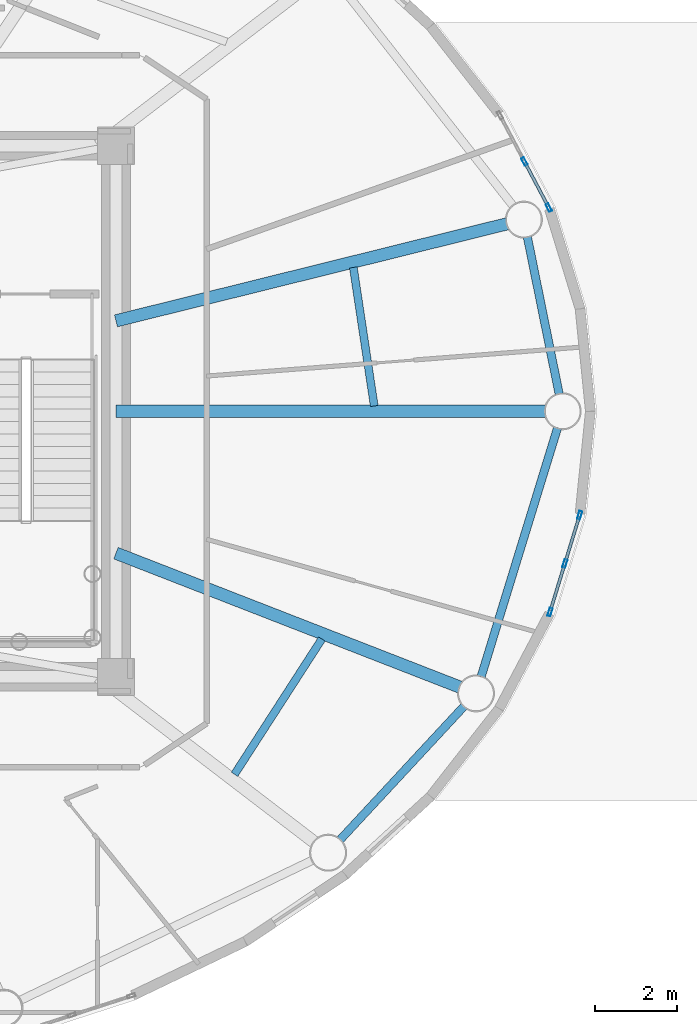
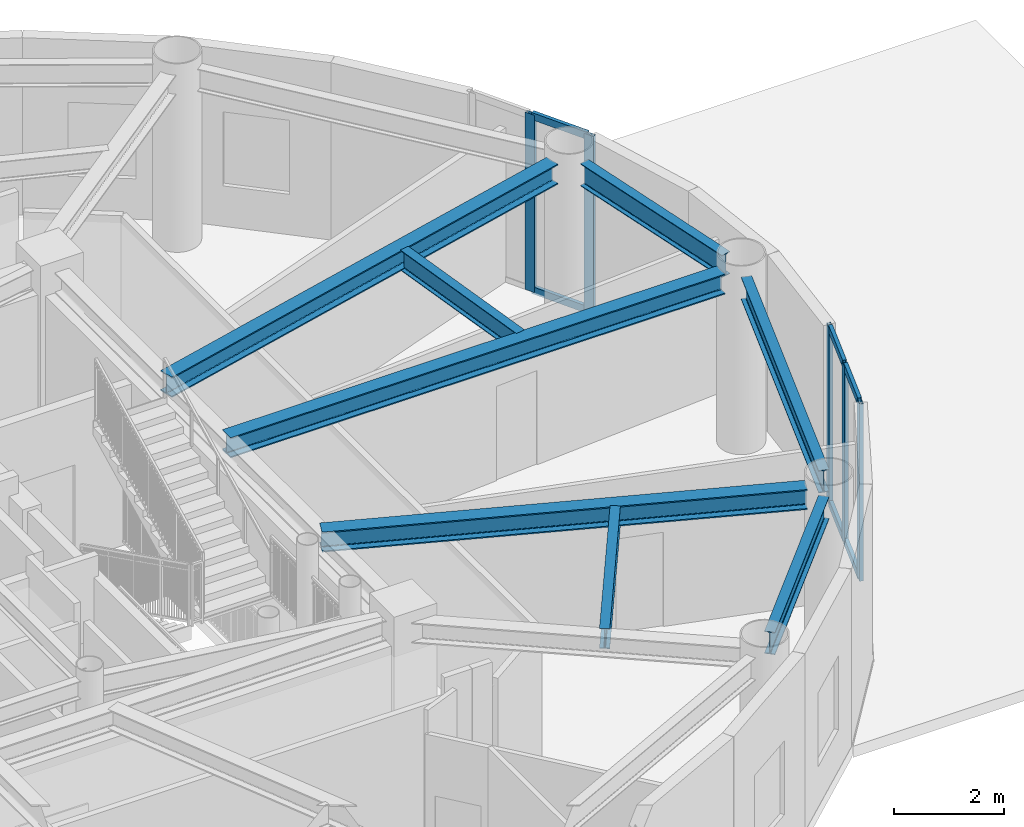
# One storey, part 11 of 24: 11 members, 8 beams, 2 elements without a shape of their own.
"""IFC4 building model written with IfcOpenShell, lengths in metres."""

from ifc_helpers import new_model, si_unit, direction, frame, origin, origin_2d, place, context, subcontext, project, spatial, hollow_rectangle, i_section, extrude, source, transform, mapped, material, layer, layer_set, material_profile, profile_set, type_object, element, aggregate, save


model = new_model("IFC4")

# Units and contexts
model_context = context("Model", 3, precision=1e-05, world=origin(), true_north=direction((0.0, 1.0)))
body_context = subcontext(model_context, "Body", "Model", "MODEL_VIEW")
ifc_project = project(units=[si_unit("LENGTHUNIT", "METRE"), si_unit("AREAUNIT", "SQUARE_METRE"), si_unit("VOLUMEUNIT", "CUBIC_METRE"), si_unit("PLANEANGLEUNIT", "RADIAN"), si_unit("MASSUNIT", "GRAM", prefix="KILO")], contexts=[model_context])

# Site, building, storey
site_placement = place(None, origin())
site = spatial("IfcSite", under=ifc_project, at=site_placement, CompositionType="ELEMENT")
building_placement = place(site_placement, origin())
building = spatial("IfcBuilding", under=site, at=building_placement, Name="Linh Dai School and Residence Tower", CompositionType="ELEMENT")
storey_placement = place(building_placement, frame((0.0, 0.0, 355.199951171875)))
storey = spatial("IfcBuildingStorey", under=building, at=storey_placement, Name="L88", CompositionType="ELEMENT", Elevation=355.199951171875)

# Beams
ifc_material_1 = material(Name="Structural Steel S355JR", Category="steel")
ifc_material_profile_1 = material_profile(ifc_material_1, i_section(OverallWidth=0.199951171875, OverallDepth=0.5, WebThickness=0.01025390625, FlangeThickness=0.01611328125, FilletRadius=0.02099609375, at=origin_2d()), Name="IPE 500")
ifc_profile_set_1 = profile_set([ifc_material_profile_1], Name="Structural Steel S355JR")
beam_type_1 = type_object("IfcBeamType", Name="BM-RB50", PredefinedType="BEAM", material=ifc_profile_set_1)
beam_1_placement = place(storey_placement, frame((55.61669921875, 27.41162109375, 3.699951171875), z_axis=(-0.198409502721, 0.980119211744, 0.0), x_axis=(-0.980119211744, -0.198409502721, 0.0)))
element("IfcBeam", 1, at=beam_1_placement, inside=storey, type_object=beam_type_1, Name="L88 Perimeter Elliptical Ring Beam 01", PredefinedType="BEAM", context=body_context, shape_type="SweptSolid", body=[
    extrude(i_section(OverallWidth=0.199951171875, OverallDepth=0.5, WebThickness=0.01025390625, FlangeThickness=0.01611328125, FilletRadius=0.02099609375, at=origin_2d()), origin(), (0.0, 0.0, 1.0), 3.9091796875),
])
beam_2_placement = place(storey_placement, frame((50.2880859375, 16.5849609375, 3.699951171875), z_axis=(0.680339330162, 0.732897261446, 0.0), x_axis=(-0.732897261446, 0.680339330162, 0.0)))
element("IfcBeam", 2, at=beam_2_placement, inside=storey, type_object=beam_type_1, Name="L88 Perimeter Elliptical Ring Beam 15", PredefinedType="BEAM", context=body_context, shape_type="SweptSolid", body=[
    extrude(i_section(OverallWidth=0.199951171875, OverallDepth=0.5, WebThickness=0.01025390625, FlangeThickness=0.01611328125, FilletRadius=0.02099609375, at=origin_2d()), origin(), (0.0, 0.0, 1.0), 4.440673828125),
])
beam_3_placement = place(storey_placement, frame((53.718505859375, 20.548828125, 3.699951171875), z_axis=(0.293606003102, 0.955926521728, 0.0), x_axis=(-0.955926521728, 0.293606003102, 0.0)))
element("IfcBeam", 3, at=beam_3_placement, inside=storey, type_object=beam_type_1, Name="L88 Perimeter Elliptical Ring Beam 16", PredefinedType="BEAM", context=body_context, shape_type="SweptSolid", body=[
    extrude(i_section(OverallWidth=0.199951171875, OverallDepth=0.5, WebThickness=0.01025390625, FlangeThickness=0.01611328125, FilletRadius=0.02099609375, at=origin_2d()), origin(), (0.0, 0.0, 1.0), 6.32861328125),
])
ifc_material_profile_2 = material_profile(ifc_material_1, i_section(OverallWidth=0.300048828125, OverallDepth=0.449951171875, WebThickness=0.013916015625, FlangeThickness=0.02587890625, FilletRadius=0.027099609375, at=origin_2d()), Name="HEB 450")
ifc_profile_set_2 = profile_set([ifc_material_profile_2], Name="Structural Steel S355JR")
beam_type_2 = type_object("IfcBeamType", Name="BM-RG45", PredefinedType="BEAM", material=ifc_profile_set_2)
beam_4_placement = place(storey_placement, frame((44.85009765625, 27.0, 3.72509765625), z_axis=(1.0, 0.0, 0.0), x_axis=(0.0, 1.0, 0.0)))
element("IfcBeam", 4, at=beam_4_placement, inside=storey, type_object=beam_type_2, Name="L88 Primary Radial Floor Girder 01", PredefinedType="BEAM", context=body_context, shape_type="SweptSolid", body=[
    extrude(i_section(OverallWidth=0.300048828125, OverallDepth=0.449951171875, WebThickness=0.013916015625, FlangeThickness=0.02587890625, FilletRadius=0.027099609375, at=origin_2d()), origin(), (0.0, 0.0, 1.0), 10.429931640625),
])
beam_5_placement = place(storey_placement, frame((44.85009765625, 29.196044921875, 3.72509765625), z_axis=(0.970563583495, 0.24084503398, 0.0), x_axis=(-0.24084503398, 0.970563583495, 0.0)))
element("IfcBeam", 5, at=beam_5_placement, inside=storey, type_object=beam_type_2, Name="L88 Primary Radial Floor Girder 02", PredefinedType="BEAM", context=body_context, shape_type="SweptSolid", body=[
    extrude(i_section(OverallWidth=0.300048828125, OverallDepth=0.449951171875, WebThickness=0.013916015625, FlangeThickness=0.02587890625, FilletRadius=0.027099609375, at=origin_2d()), origin(), (0.0, 0.0, 1.0), 9.7880859375),
])
beam_6_placement = place(storey_placement, frame((44.85009765625, 23.55322265625, 3.72509765625), z_axis=(0.931822607816, -0.362914077384, 0.0), x_axis=(0.362914077384, 0.931822607816, 0.0)))
element("IfcBeam", 6, at=beam_6_placement, inside=storey, type_object=beam_type_2, Name="L88 Primary Radial Floor Girder 16", PredefinedType="BEAM", context=body_context, shape_type="SweptSolid", body=[
    extrude(i_section(OverallWidth=0.300048828125, OverallDepth=0.449951171875, WebThickness=0.013916015625, FlangeThickness=0.02587890625, FilletRadius=0.027099609375, at=origin_2d()), origin(), (0.0, 0.0, 1.0), 8.964599609375),
])
ifc_material_profile_3 = material_profile(ifc_material_1, i_section(OverallWidth=0.18994140625, OverallDepth=0.449951171875, WebThickness=0.009521484375, FlangeThickness=0.0146484375, FilletRadius=0.02099609375, at=origin_2d()), Name="IPE 450")
ifc_profile_set_3 = profile_set([ifc_material_profile_3], Name="Structural Steel S355JR")
beam_type_3 = type_object("IfcBeamType", Name="BM-SB45", PredefinedType="BEAM", material=ifc_profile_set_3)
beam_7_placement = place(storey_placement, frame((51.12353515625, 27.128662109375, 3.72509765625), z_axis=(-0.149150785005, 0.988814463553, 0.0), x_axis=(-0.988814463553, -0.149150785005, 0.0)))
element("IfcBeam", 7, at=beam_7_placement, inside=storey, type_object=beam_type_3, Name="L88 Secondary Circumferential Floor Beam 01", PredefinedType="BEAM", context=body_context, shape_type="SweptSolid", body=[
    extrude(i_section(OverallWidth=0.18994140625, OverallDepth=0.449951171875, WebThickness=0.009521484375, FlangeThickness=0.0146484375, FilletRadius=0.02099609375, at=origin_2d()), origin(), (0.0, 0.0, 1.0), 3.403076171875),
])
beam_8_placement = place(storey_placement, frame((47.7294921875, 18.180908203125, 3.72509765625), z_axis=(0.54228601876, 0.840193950143, 0.0), x_axis=(-0.840193950143, 0.54228601876, 0.0)))
element("IfcBeam", 8, at=beam_8_placement, inside=storey, type_object=beam_type_3, Name="L88 Secondary Circumferential Floor Beam 08", PredefinedType="BEAM", context=body_context, shape_type="SweptSolid", body=[
    extrude(i_section(OverallWidth=0.18994140625, OverallDepth=0.449951171875, WebThickness=0.009521484375, FlangeThickness=0.0146484375, FilletRadius=0.02099609375, at=origin_2d()), origin(), (0.0, 0.0, 1.0), 3.9130859375),
])

# Curtain wall, members
ifc_material_2 = material(Name="Aluminium Anodised Curtain Wall", Category="aluminium")
ifc_layer = layer(ifc_material_2, 0.199951171875)
ifc_layer_set = layer_set([ifc_layer], Name="Aluminium Anodised Curtain Wall")
curtain_wall_type = type_object("IfcCurtainWallType", Name="CW-SYS-6", PredefinedType="USERDEFINED", material=ifc_layer_set)
curtain_wall_1_placement = place(storey_placement, origin())
curtain_wall_1 = element("IfcCurtainWall", 9, at=curtain_wall_1_placement, inside=storey, type_object=curtain_wall_type, Name="L88 CW6 Curtain Wall 03", ObjectType="UNITISED CURTAIN WALL", PredefinedType="USERDEFINED")
ifc_material_3 = material(Name="Aluminium Alloy 6063-T6", Category="aluminium")
ifc_material_profile_4 = material_profile(ifc_material_3, hollow_rectangle(XDim=0.074951171875, YDim=0.199951171875, WallThickness=0.00390625, at=origin_2d()), Name="RHS 200x75x4")
ifc_profile_set_4 = profile_set([ifc_material_profile_4], Name="Aluminium Alloy 6063-T6")
member_type_1 = type_object("IfcMemberType", Name="CW-SYS-6-MUL", PredefinedType="MULLION", material=ifc_profile_set_4)
shared_shape_1 = source(origin(), body_context, "Body", "SweptSolid", [
    extrude(hollow_rectangle(XDim=0.074951171875, YDim=0.199951171875, WallThickness=0.00390625, at=origin_2d()), origin(), (0.0, 0.0, 1.0), 3.949951171875),
])
member_1_placement = place(storey_placement, frame((54.77099609375, 33.06689453125, 0.0), z_axis=(0.0, 0.0, 1.0), x_axis=(0.883971809156, 0.46754020214, 0.0)))
member_1 = element("IfcMember", 10, at=member_1_placement, type_object=member_type_1, Name="CW6 mullion 2", PredefinedType="MULLION", context=body_context, shape_type="MappedRepresentation", body=[
    mapped(shared_shape_1, transform((0.0, 0.0, 0.0), x_axis=(1.0, 0.0, 0.0), y_axis=(0.0, 1.0, 0.0), z_axis=(0.0, 0.0, 1.0), scale=1.0)),
])
member_2_placement = place(storey_placement, frame((55.36376953125, 31.946533203125, 0.0), z_axis=(0.0, 0.0, 1.0), x_axis=(0.883971809156, 0.46754020214, 0.0)))
member_2 = element("IfcMember", 11, at=member_2_placement, type_object=member_type_1, Name="CW6 mullion 3", PredefinedType="MULLION", context=body_context, shape_type="MappedRepresentation", body=[
    mapped(shared_shape_1, transform((0.0, 0.0, 0.0), x_axis=(1.0, 0.0, 0.0), y_axis=(0.0, 1.0, 0.0), z_axis=(0.0, 0.0, 1.0), scale=1.0)),
])

curtain_wall_2_placement = place(storey_placement, origin())
curtain_wall_2 = element("IfcCurtainWall", 12, at=curtain_wall_2_placement, inside=storey, type_object=curtain_wall_type, Name="L88 CW6 Curtain Wall 39", ObjectType="UNITISED CURTAIN WALL", PredefinedType="USERDEFINED")
member_3_placement = place(storey_placement, frame((56.114013671875, 24.477294921875, 0.0), z_axis=(0.0, 0.0, 1.0), x_axis=(0.956083389379, -0.293094784248, 0.0)))
member_3 = element("IfcMember", 13, at=member_3_placement, type_object=member_type_1, Name="CW6 mullion 1", PredefinedType="MULLION", context=body_context, shape_type="MappedRepresentation", body=[
    mapped(shared_shape_1, transform((0.0, 0.0, 0.0), x_axis=(1.0, 0.0, 0.0), y_axis=(0.0, 1.0, 0.0), z_axis=(0.0, 0.0, 1.0), scale=1.0)),
])
member_4_placement = place(storey_placement, frame((55.753173828125, 23.2998046875, 0.0), z_axis=(0.0, 0.0, 1.0), x_axis=(0.956083389379, -0.293094784248, 0.0)))
member_4 = element("IfcMember", 14, at=member_4_placement, type_object=member_type_1, Name="CW6 mullion 2", PredefinedType="MULLION", context=body_context, shape_type="MappedRepresentation", body=[
    mapped(shared_shape_1, transform((0.0, 0.0, 0.0), x_axis=(1.0, 0.0, 0.0), y_axis=(0.0, 1.0, 0.0), z_axis=(0.0, 0.0, 1.0), scale=1.0)),
])
member_5_placement = place(storey_placement, frame((55.39208984375, 22.12255859375, 0.0), z_axis=(0.0, 0.0, 1.0), x_axis=(0.956083389379, -0.293094784248, 0.0)))
member_5 = element("IfcMember", 15, at=member_5_placement, type_object=member_type_1, Name="CW6 mullion 3", PredefinedType="MULLION", context=body_context, shape_type="MappedRepresentation", body=[
    mapped(shared_shape_1, transform((0.0, 0.0, 0.0), x_axis=(1.0, 0.0, 0.0), y_axis=(0.0, 1.0, 0.0), z_axis=(0.0, 0.0, 1.0), scale=1.0)),
])

# Member
ifc_material_profile_5 = material_profile(ifc_material_3, hollow_rectangle(XDim=0.074951171875, YDim=0.159912109375, WallThickness=0.00390625, at=origin_2d()), Name="RHS 160x75x4")
ifc_profile_set_5 = profile_set([ifc_material_profile_5], Name="Aluminium Alloy 6063-T6")
member_type_2 = type_object("IfcMemberType", Name="CW-SYS-6-TRN", PredefinedType="USERDEFINED", material=ifc_profile_set_5)
shared_shape_2 = source(origin(), body_context, "Body", "SweptSolid", [
    extrude(hollow_rectangle(XDim=0.074951171875, YDim=0.159912109375, WallThickness=0.00390625, at=origin_2d()), origin(), (0.0, 0.0, 1.0), 1.192626953125),
])
member_6_placement = place(storey_placement, frame((54.78857421875, 33.033935546875, 0.03759765625), z_axis=(0.467567892559, -0.883957162903, 0.0), x_axis=(0.883957162903, 0.467567892559, 0.0)))
member_6 = element("IfcMember", 16, at=member_6_placement, type_object=member_type_2, Name="CW6 transom 2.1", ObjectType="TRANSOM", PredefinedType="USERDEFINED", context=body_context, shape_type="MappedRepresentation", body=[
    mapped(shared_shape_2, transform((0.0, 0.0, 0.0), x_axis=(1.0, 0.0, 0.0), y_axis=(0.0, 1.0, 0.0), z_axis=(0.0, 0.0, 1.0), scale=1.0)),
])

member_7_placement = place(storey_placement, frame((54.78857421875, 33.033935546875, 3.91259765625), z_axis=(0.467567892559, -0.883957162903, 0.0), x_axis=(0.883957162903, 0.467567892559, 0.0)))
member_7 = element("IfcMember", 17, at=member_7_placement, type_object=member_type_2, Name="CW6 transom 2.2", ObjectType="TRANSOM", PredefinedType="USERDEFINED", context=body_context, shape_type="MappedRepresentation", body=[
    mapped(shared_shape_2, transform((0.0, 0.0, 0.0), x_axis=(1.0, 0.0, 0.0), y_axis=(0.0, 1.0, 0.0), z_axis=(0.0, 0.0, 1.0), scale=1.0)),
])

aggregate(curtain_wall_1, [member_1, member_2, member_6, member_7])

shared_shape_3 = source(origin(), body_context, "Body", "SweptSolid", [
    extrude(hollow_rectangle(XDim=0.074951171875, YDim=0.159912109375, WallThickness=0.00390625, at=origin_2d()), origin(), (0.0, 0.0, 1.0), 1.156494140625),
])
member_8_placement = place(storey_placement, frame((56.10302734375, 24.44140625, 0.03759765625), z_axis=(-0.293017574042, -0.956107055357, 0.0), x_axis=(0.956107055357, -0.293017574042, 0.0)))
member_8 = element("IfcMember", 18, at=member_8_placement, type_object=member_type_2, Name="CW6 transom 1.1", ObjectType="TRANSOM", PredefinedType="USERDEFINED", context=body_context, shape_type="MappedRepresentation", body=[
    mapped(shared_shape_3, transform((0.0, 0.0, 0.0), x_axis=(1.0, 0.0, 0.0), y_axis=(0.0, 1.0, 0.0), z_axis=(0.0, 0.0, 1.0), scale=1.0)),
])

member_9_placement = place(storey_placement, frame((56.10302734375, 24.44140625, 3.91259765625), z_axis=(-0.293017574042, -0.956107055357, 0.0), x_axis=(0.956107055357, -0.293017574042, 0.0)))
member_9 = element("IfcMember", 19, at=member_9_placement, type_object=member_type_2, Name="CW6 transom 1.2", ObjectType="TRANSOM", PredefinedType="USERDEFINED", context=body_context, shape_type="MappedRepresentation", body=[
    mapped(shared_shape_3, transform((0.0, 0.0, 0.0), x_axis=(1.0, 0.0, 0.0), y_axis=(0.0, 1.0, 0.0), z_axis=(0.0, 0.0, 1.0), scale=1.0)),
])

member_10_placement = place(storey_placement, frame((55.7421875, 23.26416015625, 0.03759765625), z_axis=(-0.293210538331, -0.9560478964, 0.0), x_axis=(0.9560478964, -0.293210538331, 0.0)))
member_10 = element("IfcMember", 20, at=member_10_placement, type_object=member_type_2, Name="CW6 transom 2.1", ObjectType="TRANSOM", PredefinedType="USERDEFINED", context=body_context, shape_type="MappedRepresentation", body=[
    mapped(shared_shape_3, transform((0.0, 0.0, 0.0), x_axis=(1.0, 0.0, 0.0), y_axis=(0.0, 1.0, 0.0), z_axis=(0.0, 0.0, 1.0), scale=1.0)),
])

member_11_placement = place(storey_placement, frame((55.7421875, 23.26416015625, 3.91259765625), z_axis=(-0.293210538331, -0.9560478964, 0.0), x_axis=(0.9560478964, -0.293210538331, 0.0)))
member_11 = element("IfcMember", 21, at=member_11_placement, type_object=member_type_2, Name="CW6 transom 2.2", ObjectType="TRANSOM", PredefinedType="USERDEFINED", context=body_context, shape_type="MappedRepresentation", body=[
    mapped(shared_shape_3, transform((0.0, 0.0, 0.0), x_axis=(1.0, 0.0, 0.0), y_axis=(0.0, 1.0, 0.0), z_axis=(0.0, 0.0, 1.0), scale=1.0)),
])

aggregate(curtain_wall_2, [member_3, member_4, member_5, member_8, member_9, member_10, member_11])

save(model, "model.ifc")
